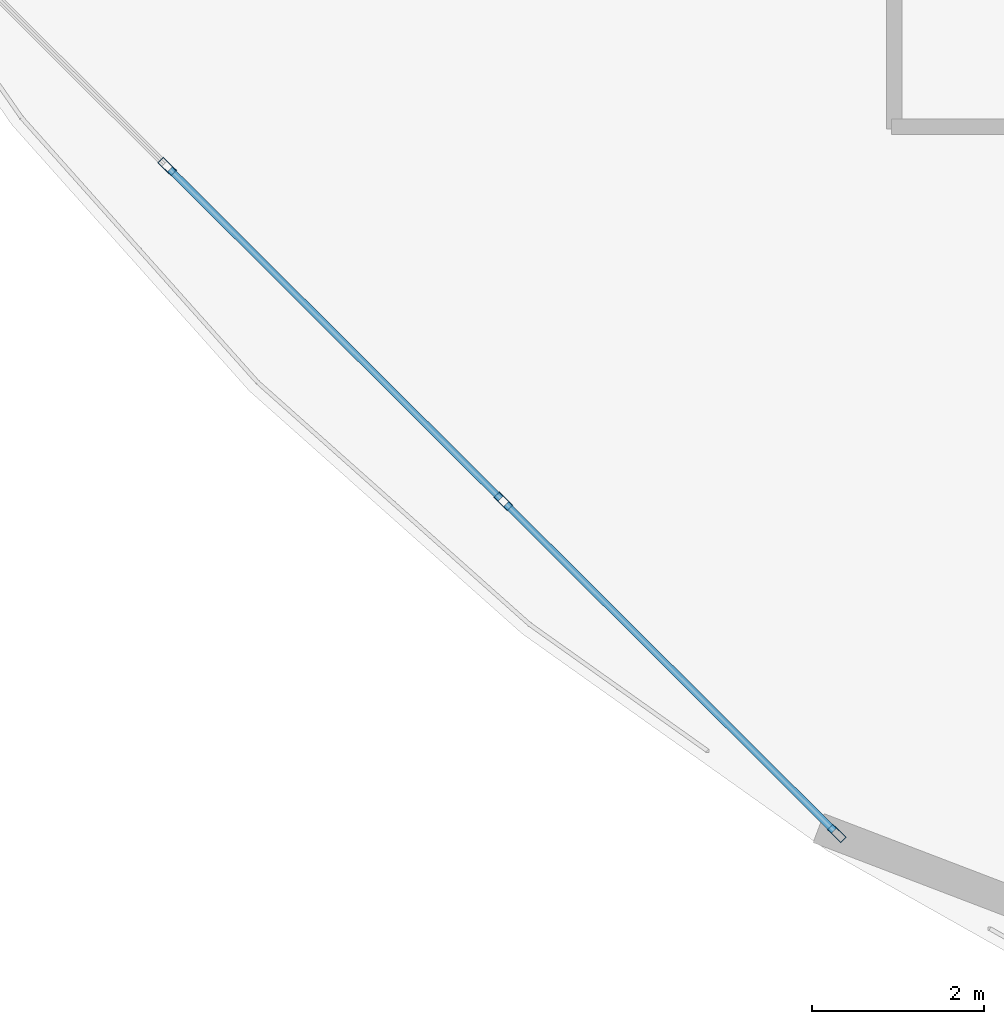
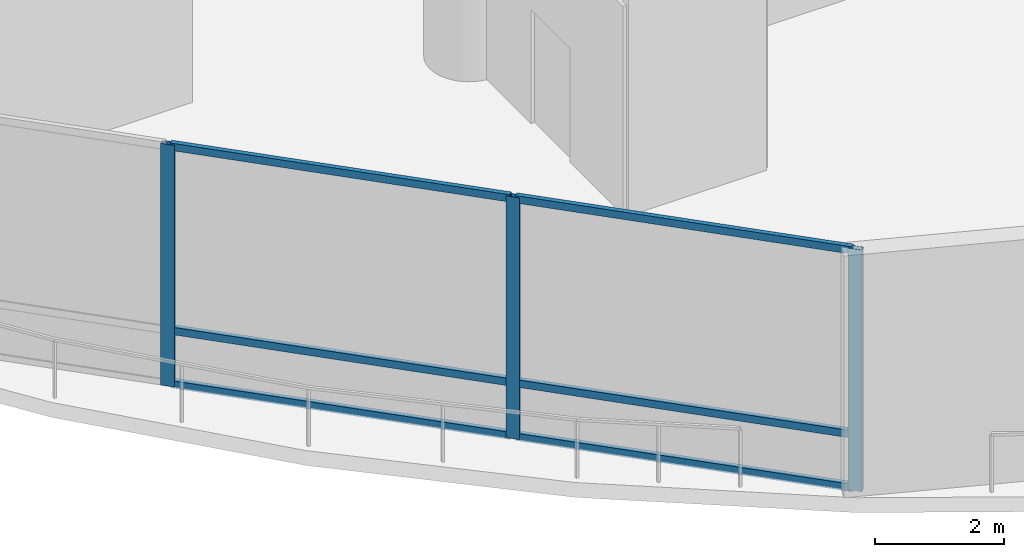
# One storey, part 2 of 26: 9 members, 1 element without a shape of its own.
"""IFC4 building model written with IfcOpenShell, lengths in metres."""

from ifc_helpers import new_model, si_unit, direction, frame, origin, origin_2d, place, context, subcontext, project, spatial, hollow_rectangle, extrude, material, layer, layer_set, material_profile, profile_set, type_object, element, aggregate, save


model = new_model("IFC4")

# Units and contexts
model_context = context("Model", 3, precision=1e-05, world=origin(), true_north=direction((0.0, 1.0)))
body_context = subcontext(model_context, "Body", "Model", "MODEL_VIEW")
ifc_project = project(units=[si_unit("LENGTHUNIT", "METRE"), si_unit("AREAUNIT", "SQUARE_METRE"), si_unit("VOLUMEUNIT", "CUBIC_METRE"), si_unit("PLANEANGLEUNIT", "RADIAN"), si_unit("MASSUNIT", "GRAM", prefix="KILO")], contexts=[model_context])

# Site, building, storey
site_placement = place(None, origin())
site = spatial("IfcSite", under=ifc_project, at=site_placement, CompositionType="ELEMENT")
building_placement = place(site_placement, origin())
building = spatial("IfcBuilding", under=site, at=building_placement, Name="Kazevale Care Tower and Concert Hall", CompositionType="ELEMENT")
storey_placement = place(building_placement, frame((0.0, 0.0, 19.199951171875)))
storey = spatial("IfcBuildingStorey", under=building, at=storey_placement, Name="L04", CompositionType="ELEMENT", Elevation=19.199951171875)

# Curtain wall, members
ifc_material_1 = material(Name="Aluminium 6063-T6 and Low-E Glass", Category="aluminium")
ifc_layer = layer(ifc_material_1, 0.179931640625)
ifc_layer_set = layer_set([ifc_layer], Name="Aluminium 6063-T6 and Low-E Glass")
curtain_wall_type = type_object("IfcCurtainWallType", Name="Podium Double-Skin Medical Curtain Wall CW-1", PredefinedType="NOTDEFINED", material=ifc_layer_set)
curtain_wall_placement = place(storey_placement, origin())
curtain_wall = element("IfcCurtainWall", 1, at=curtain_wall_placement, inside=storey, type_object=curtain_wall_type, Name="cw:L04:pod:09", PredefinedType="NOTDEFINED")
ifc_material_2 = material(Name="Aluminium 6063-T6", Category="aluminium")
ifc_material_profile_1 = material_profile(ifc_material_2, hollow_rectangle(XDim=0.090087890625, YDim=0.219970703125, WallThickness=0.0048828125, at=origin_2d()), Name="ALU90x220x5")
ifc_profile_set_1 = profile_set([ifc_material_profile_1], Name="Aluminium 6063-T6")
member_type_1 = type_object("IfcMemberType", Name="CW-1 Mullion ALU90x220x5", PredefinedType="MULLION", material=ifc_profile_set_1)
member_1_placement = place(storey_placement, frame((10.817626953125, 19.535400390625, 0.0), z_axis=(0.0, 0.0, 1.0), x_axis=(0.705655814257, 0.708554776856, 0.0)))
member_1 = element("IfcMember", 2, at=member_1_placement, type_object=member_type_1, Name="CW-1 mullion 2", PredefinedType="MULLION", context=body_context, shape_type="SweptSolid", body=[
    extrude(hollow_rectangle(XDim=0.090087890625, YDim=0.219970703125, WallThickness=0.0048828125, at=origin_2d()), origin(), (0.0, 0.0, 1.0), 4.56005859375),
])
member_2_placement = place(storey_placement, frame((14.728271484375, 15.640625, 0.0), z_axis=(0.0, 0.0, 1.0), x_axis=(0.705655814257, 0.708554776856, 0.0)))
member_2 = element("IfcMember", 3, at=member_2_placement, type_object=member_type_1, Name="CW-1 mullion 3", PredefinedType="MULLION", context=body_context, shape_type="SweptSolid", body=[
    extrude(hollow_rectangle(XDim=0.090087890625, YDim=0.219970703125, WallThickness=0.0048828125, at=origin_2d()), origin(), (0.0, 0.0, 1.0), 4.56005859375),
])
member_3_placement = place(storey_placement, frame((18.607177734375, 11.77783203125, 0.0), z_axis=(0.0, 0.0, 1.0), x_axis=(0.705655814257, 0.708554776856, 0.0)))
member_3 = element("IfcMember", 4, at=member_3_placement, type_object=member_type_1, Name="CW-1 mullion 4", PredefinedType="MULLION", context=body_context, shape_type="SweptSolid", body=[
    extrude(hollow_rectangle(XDim=0.090087890625, YDim=0.219970703125, WallThickness=0.0048828125, at=origin_2d()), origin(), (0.0, 0.0, 1.0), 4.56005859375),
])
ifc_material_profile_2 = material_profile(ifc_material_2, hollow_rectangle(XDim=0.080078125, YDim=0.139892578125, WallThickness=0.00390625, at=origin_2d()), Name="ALU80x140x4")
ifc_profile_set_2 = profile_set([ifc_material_profile_2], Name="Aluminium 6063-T6")
member_type_2 = type_object("IfcMemberType", Name="CW-1 Transom ALU80x140x4", PredefinedType="USERDEFINED", material=ifc_profile_set_2)
member_4_placement = place(storey_placement, frame((10.849609375, 19.503662109375, 0.0400390625), z_axis=(0.708544259539, -0.705666374624, 0.0), x_axis=(0.705666374624, 0.708544259539, 0.0)))
member_4 = element("IfcMember", 5, at=member_4_placement, type_object=member_type_2, Name="CW-1 transom 2.1", ObjectType="TRANSOM", PredefinedType="USERDEFINED", context=body_context, shape_type="SweptSolid", body=[
    extrude(hollow_rectangle(XDim=0.080078125, YDim=0.139892578125, WallThickness=0.00390625, at=origin_2d()), origin(), (0.0, 0.0, 1.0), 5.429443359375),
])
member_5_placement = place(storey_placement, frame((10.849609375, 19.503662109375, 1.050048828125), z_axis=(0.708544259539, -0.705666374624, 0.0), x_axis=(0.705666374624, 0.708544259539, 0.0)))
member_5 = element("IfcMember", 6, at=member_5_placement, type_object=member_type_2, Name="CW-1 transom 2.2", ObjectType="TRANSOM", PredefinedType="USERDEFINED", context=body_context, shape_type="SweptSolid", body=[
    extrude(hollow_rectangle(XDim=0.080078125, YDim=0.139892578125, WallThickness=0.00390625, at=origin_2d()), origin(), (0.0, 0.0, 1.0), 5.429443359375),
])
member_6_placement = place(storey_placement, frame((10.849609375, 19.503662109375, 4.52001953125), z_axis=(0.708544259539, -0.705666374624, 0.0), x_axis=(0.705666374624, 0.708544259539, 0.0)))
member_6 = element("IfcMember", 7, at=member_6_placement, type_object=member_type_2, Name="CW-1 transom 2.3", ObjectType="TRANSOM", PredefinedType="USERDEFINED", context=body_context, shape_type="SweptSolid", body=[
    extrude(hollow_rectangle(XDim=0.080078125, YDim=0.139892578125, WallThickness=0.00390625, at=origin_2d()), origin(), (0.0, 0.0, 1.0), 5.429443359375),
])
member_7_placement = place(storey_placement, frame((14.76025390625, 15.60888671875, 0.0400390625), z_axis=(0.708556322862, -0.705654261896, 0.0), x_axis=(0.705654261896, 0.708556322862, 0.0)))
member_7 = element("IfcMember", 8, at=member_7_placement, type_object=member_type_2, Name="CW-1 transom 3.1", ObjectType="TRANSOM", PredefinedType="USERDEFINED", context=body_context, shape_type="SweptSolid", body=[
    extrude(hollow_rectangle(XDim=0.080078125, YDim=0.139892578125, WallThickness=0.00390625, at=origin_2d()), origin(), (0.0, 0.0, 1.0), 5.384033203125),
])
member_8_placement = place(storey_placement, frame((14.76025390625, 15.60888671875, 1.050048828125), z_axis=(0.708556322862, -0.705654261896, 0.0), x_axis=(0.705654261896, 0.708556322862, 0.0)))
member_8 = element("IfcMember", 9, at=member_8_placement, type_object=member_type_2, Name="CW-1 transom 3.2", ObjectType="TRANSOM", PredefinedType="USERDEFINED", context=body_context, shape_type="SweptSolid", body=[
    extrude(hollow_rectangle(XDim=0.080078125, YDim=0.139892578125, WallThickness=0.00390625, at=origin_2d()), origin(), (0.0, 0.0, 1.0), 5.384033203125),
])
member_9_placement = place(storey_placement, frame((14.76025390625, 15.60888671875, 4.52001953125), z_axis=(0.708556322862, -0.705654261896, 0.0), x_axis=(0.705654261896, 0.708556322862, 0.0)))
member_9 = element("IfcMember", 10, at=member_9_placement, type_object=member_type_2, Name="CW-1 transom 3.3", ObjectType="TRANSOM", PredefinedType="USERDEFINED", context=body_context, shape_type="SweptSolid", body=[
    extrude(hollow_rectangle(XDim=0.080078125, YDim=0.139892578125, WallThickness=0.00390625, at=origin_2d()), origin(), (0.0, 0.0, 1.0), 5.384033203125),
])
aggregate(curtain_wall, [member_1, member_2, member_3, member_4, member_5, member_6, member_7, member_8, member_9])

save(model, "model.ifc")
